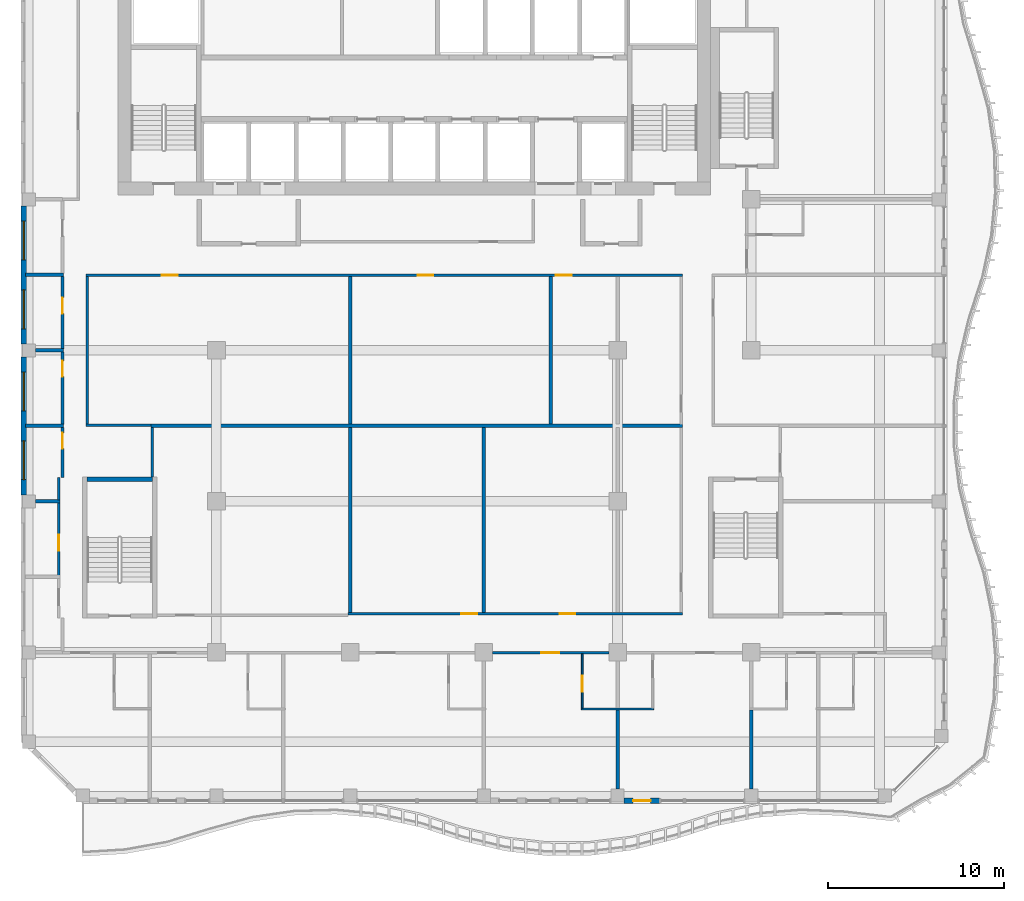
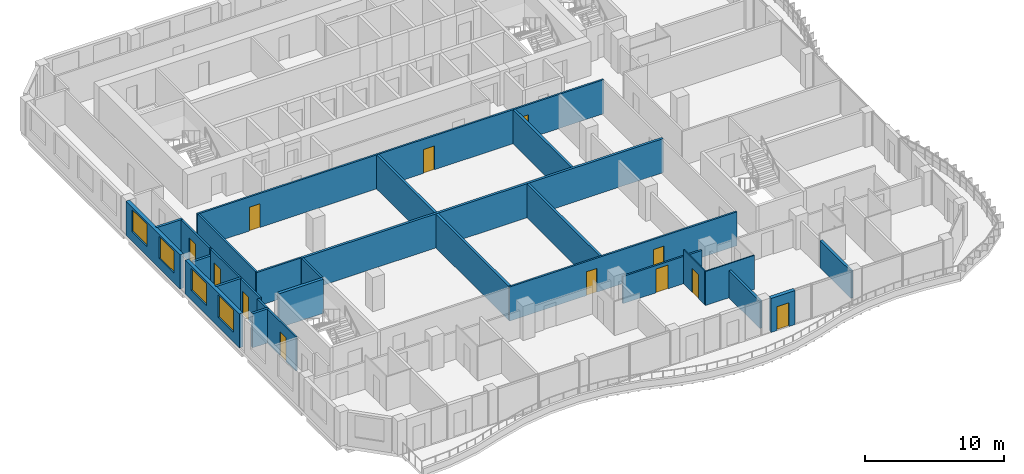
# One storey, part 11 of 22: 28 walls, 12 doors, 4 windows, 16 openings.
"""IFC4 building model written with IfcOpenShell, lengths in metres."""

import ifcopenshell
import ifcopenshell.guid

model = None  # the IFC model being written
_history = None  # IfcOwnerHistory: only IFC2X3 demands one
_inside = {}  # id of a spatial element -> (the spatial element, [elements in it])
_under = {}  # id of a project, library or spatial element -> (it, [spatial elements below it])
_declared = {}  # id of a project -> (the project, [libraries it declares])
_typed = {}  # id of a type object -> (the type object, [elements of that type])
_made_of = {}  # id of a material, layer set ... -> (it, [elements and type objects made of it])


def new_model(schema):
    """Start an empty IFC model of exactly this schema.

    Asked for "IFC4X3", IfcOpenShell would pick the latest addendum, in which some entities
    have other attributes; the version numbers below select the first issue.
    IFC2X3 requires an IfcOwnerHistory on every rooted entity: one is made here for all.
    """
    global model, _history
    if schema == "IFC4X3":
        model = ifcopenshell.file(schema_version=(4, 3, 0, 0))
    else:
        model = ifcopenshell.file(schema=schema)
    _inside.clear()
    _under.clear()
    _declared.clear()
    _typed.clear()
    _made_of.clear()
    _history = None
    if model.schema == "IFC2X3":
        org = make("IfcOrganization", Name="unknown")
        user = make(
            "IfcPersonAndOrganization",
            ThePerson=make("IfcPerson", FamilyName="unknown"),
            TheOrganization=org,
        )
        app = make(
            "IfcApplication",
            ApplicationDeveloper=org,
            Version="unknown",
            ApplicationFullName="unknown",
            ApplicationIdentifier="unknown",
        )
        _history = make(
            "IfcOwnerHistory",
            OwningUser=user,
            OwningApplication=app,
            ChangeAction="ADDED",
            CreationDate=0,
        )
    return model


def make(cls, **values):
    """One entity of the class cls with the attributes given. An attribute that is None is left unset."""
    return model.create_entity(
        cls, **{name: value for name, value in values.items() if value is not None}
    )


def rooted(cls, **values):
    """An entity with a GlobalId (a new one), such as an element, a storey or a relation."""
    return make(cls, GlobalId=ifcopenshell.guid.new(), OwnerHistory=_history, **values)


def si_unit(unit_type, name, prefix=None):
    """IfcSIUnit, for example si_unit("LENGTHUNIT", "METRE", prefix="MILLI")."""
    return make("IfcSIUnit", UnitType=unit_type, Prefix=prefix, Name=name)


def assignment(units):
    """IfcUnitAssignment: the units of a project."""
    return None if units is None else make("IfcUnitAssignment", Units=units)


def point(xyz):
    """IfcCartesianPoint."""
    return None if xyz is None else make("IfcCartesianPoint", Coordinates=xyz)


def direction(xyz):
    """IfcDirection."""
    return None if xyz is None else make("IfcDirection", DirectionRatios=xyz)


def frame(location, z_axis=None, x_axis=None):
    """IfcAxis2Placement3D, a coordinate frame: its origin and axes. An axis left out is left unset."""
    return make(
        "IfcAxis2Placement3D",
        Location=point(location),
        Axis=direction(z_axis),
        RefDirection=direction(x_axis),
    )


def frame_2d(location, x_axis=None):
    """IfcAxis2Placement2D, a coordinate frame in the plane: its origin and x axis."""
    return make(
        "IfcAxis2Placement2D", Location=point(location), RefDirection=direction(x_axis)
    )


def origin():
    """The frame at (0, 0, 0) with its axes left unset."""
    return frame((0.0, 0.0, 0.0))


def place(relative_to, where):
    """IfcLocalPlacement: puts the frame where relative to a parent placement (None: the world)."""
    return make(
        "IfcLocalPlacement", PlacementRelTo=relative_to, RelativePlacement=where
    )


def context(
    kind, dimensions, precision=None, world=None, true_north=None, identifier=None
):
    """IfcGeometricRepresentationContext, for example the 3D "Model" context."""
    return make(
        "IfcGeometricRepresentationContext",
        ContextIdentifier=identifier,
        ContextType=kind,
        CoordinateSpaceDimension=dimensions,
        Precision=precision,
        WorldCoordinateSystem=world,
        TrueNorth=true_north,
    )


def subcontext(parent, identifier, kind, view, scale=None):
    """IfcGeometricRepresentationSubContext, for example "Body" below "Model"."""
    return make(
        "IfcGeometricRepresentationSubContext",
        ContextIdentifier=identifier,
        ContextType=kind,
        ParentContext=parent,
        TargetScale=scale,
        TargetView=view,
    )


def project(units=None, contexts=None):
    """IfcProject with its units and contexts."""
    return rooted(
        "IfcProject",
        Name="project",
        RepresentationContexts=contexts,
        UnitsInContext=assignment(units),
    )


def spatial(cls, under=None, at=None, **own):
    """A site, building, storey or space (cls), placed at a placement, below another one or the project."""
    s = rooted(cls, ObjectPlacement=at, **own)
    if under is not None:
        _under.setdefault(under.id(), (under, []))[1].append(s)
    return s


def profile(cls, at=None, kind="AREA", **sizes):
    """A parametric profile (cls). Its sizes go by their IFC names, for example OverallWidth=200.0."""
    return make(cls, ProfileType=kind, Position=at, **sizes)


def rectangle(**sizes):
    """IfcRectangleProfileDef."""
    return profile("IfcRectangleProfileDef", **sizes)


def extrude(swept, where, along, depth):
    """IfcExtrudedAreaSolid: the profile swept, set in the frame where, extruded along a direction by depth."""
    return make(
        "IfcExtrudedAreaSolid",
        SweptArea=swept,
        Position=where,
        ExtrudedDirection=direction(along),
        Depth=depth,
    )


def shape(context_of_items, identifier, shape_type, items):
    """IfcShapeRepresentation: the items that make up one representation, for example the "Body"."""
    return make(
        "IfcShapeRepresentation",
        ContextOfItems=context_of_items,
        RepresentationIdentifier=identifier,
        RepresentationType=shape_type,
        Items=items,
    )


def source(mapping_origin, context_of_items, identifier, shape_type, items):
    """IfcRepresentationMap: a shape defined once, which mapped items show again and again."""
    return make(
        "IfcRepresentationMap",
        MappingOrigin=mapping_origin,
        MappedRepresentation=shape(context_of_items, identifier, shape_type, items),
    )


def transform(
    local_origin,
    x_axis=None,
    y_axis=None,
    z_axis=None,
    scale=None,
    scale2=None,
    scale3=None,
    uniform=True,
):
    """IfcCartesianTransformationOperator3D, or its non-uniform kind. x_axis, y_axis, z_axis: its Axis1, 2, 3."""
    if uniform:
        return make(
            "IfcCartesianTransformationOperator3D",
            Axis1=direction(x_axis),
            Axis2=direction(y_axis),
            LocalOrigin=point(local_origin),
            Scale=scale,
            Axis3=direction(z_axis),
        )
    return make(
        "IfcCartesianTransformationOperator3DnonUniform",
        Axis1=direction(x_axis),
        Axis2=direction(y_axis),
        LocalOrigin=point(local_origin),
        Scale=scale,
        Axis3=direction(z_axis),
        Scale2=scale2,
        Scale3=scale3,
    )


def mapped(mapping_source, mapping_target):
    """IfcMappedItem: shows the shape of a source again, moved by a transform."""
    return make(
        "IfcMappedItem", MappingSource=mapping_source, MappingTarget=mapping_target
    )


def material(Name=None, Category=None):
    """IfcMaterial."""
    return make("IfcMaterial", Name=Name, Category=Category)


def layer(
    of_material, thickness, ventilated=None, Name=None, Category=None, Priority=None
):
    """IfcMaterialLayer: one layer of a wall or slab, of a material (None: an air gap)."""
    return make(
        "IfcMaterialLayer",
        Material=of_material,
        LayerThickness=thickness,
        IsVentilated=ventilated,
        Name=Name,
        Category=Category,
        Priority=Priority,
    )


def layer_set(layers, Name=None):
    """IfcMaterialLayerSet."""
    return make("IfcMaterialLayerSet", MaterialLayers=layers, LayerSetName=Name)


def made_of(thing, what):
    """Note that an element or type object is made of a material, layer set ...; save() writes the relation."""
    if what is not None:
        _made_of.setdefault(what.id(), (what, []))[1].append(thing)
    return thing


def type_object(cls, material=None, **own):
    """A type object (cls), such as IfcWallType, which elements share."""
    return made_of(rooted(cls, **own), material)


def element(
    cls,
    number,
    at=None,
    inside=None,
    cuts=None,
    type_object=None,
    material=None,
    context=None,
    identifier="Body",
    shape_type=None,
    held_by="IfcProductDefinitionShape",
    body=None,
    shapes=None,
    **own,
):
    """One element of the class cls, such as IfcWall. Its Tag is "e" and its number.

    at: its placement. inside: the storey or other place that contains it. cuts: it is an
    opening in that element (IfcRelVoidsElement). A single representation is given by context,
    identifier, shape_type and body (its items); several are given by shapes. held_by: the class
    of the entity that holds the representations. save() writes the other relations.
    """
    e = rooted(cls, Tag="e%d" % number, ObjectPlacement=at, **own)
    if body is not None:
        shapes = [shape(context, identifier, shape_type, body)]
    if shapes is not None:
        e.Representation = make(held_by, Representations=shapes)
    if inside is not None:
        _inside.setdefault(inside.id(), (inside, []))[1].append(e)
    if cuts is not None:
        rooted(
            "IfcRelVoidsElement", RelatingBuildingElement=cuts, RelatedOpeningElement=e
        )
    if type_object is not None:
        _typed.setdefault(type_object.id(), (type_object, []))[1].append(e)
    return made_of(e, material)


def fill(opening, filler):
    """IfcRelFillsElement: the door or window that sits in an opening."""
    return rooted(
        "IfcRelFillsElement",
        RelatingOpeningElement=opening,
        RelatedBuildingElement=filler,
    )


def aggregate(whole, parts):
    """IfcRelAggregates: a whole, such as a stair, and the parts it consists of."""
    return rooted("IfcRelAggregates", RelatingObject=whole, RelatedObjects=parts)


def save(model, path):
    """Write the relations noted so far, then the file.

    IfcRelAggregates (storeys below a building ...), IfcRelContainedInSpatialStructure (elements
    in a storey), IfcRelDefinesByType, IfcRelAssociatesMaterial and IfcRelDeclares: one each for
    every whole, place, type object, material and project.
    """
    for whole, parts in _under.values():
        aggregate(whole, parts)
    for where, things in _inside.values():
        rooted(
            "IfcRelContainedInSpatialStructure",
            RelatedElements=things,
            RelatingStructure=where,
        )
    for kind, things in _typed.values():
        rooted("IfcRelDefinesByType", RelatedObjects=things, RelatingType=kind)
    for what, things in _made_of.values():
        rooted("IfcRelAssociatesMaterial", RelatedObjects=things, RelatingMaterial=what)
    for by, libraries in _declared.values():
        rooted("IfcRelDeclares", RelatingContext=by, RelatedDefinitions=libraries)
    model.write(path)


model = new_model("IFC4")

# Units and contexts
model_context = context("Model", 3, precision=1e-05, world=origin(), true_north=direction((0.0, 1.0)))
body_context = subcontext(model_context, "Body", "Model", "MODEL_VIEW")
ifc_project = project(units=[si_unit("LENGTHUNIT", "METRE"), si_unit("AREAUNIT", "SQUARE_METRE"), si_unit("VOLUMEUNIT", "CUBIC_METRE"), si_unit("PLANEANGLEUNIT", "RADIAN"), si_unit("MASSUNIT", "GRAM", prefix="KILO")], contexts=[model_context])

# Site, building, storey
site_placement = place(None, origin())
site = spatial("IfcSite", under=ifc_project, at=site_placement, CompositionType="ELEMENT")
building_placement = place(site_placement, origin())
building = spatial("IfcBuilding", under=site, at=building_placement, Name="Kilnfold Tower and Market Hall", CompositionType="ELEMENT")
storey_placement = place(building_placement, frame((0.0, 0.0, 220.300048828125)))
storey = spatial("IfcBuildingStorey", under=building, at=storey_placement, Name="L54", CompositionType="ELEMENT", Elevation=220.300048828125)

# Wall, opening, door
ifc_material_1 = material(Name="Gypsum board on steel studs", Category="steel")
ifc_layer_1 = layer(ifc_material_1, 0.14990234375)
ifc_layer_set_1 = layer_set([ifc_layer_1], Name="Gypsum board on steel studs")
wall_type_1 = type_object("IfcWallType", Name="WALL CORRIDOR 150", PredefinedType="PARTITIONING", material=ifc_layer_set_1)
wall_1_placement = place(storey_placement, frame((5.5, -17.699951171875, 0.0), z_axis=(0.0, 0.0, 1.0), x_axis=(1.0, 0.0, 0.0)))
wall_1 = element("IfcWall", 1, at=wall_1_placement, inside=storey, type_object=wall_type_1, Name="Partition LY32.4", PredefinedType="PARTITIONING", context=body_context, shape_type="SweptSolid", body=[
    extrude(rectangle(XDim=6.5830078125, YDim=0.14990234375, at=frame_2d((3.29150390625, 0.0))), origin(), (0.0, 0.0, 1.0), 2.39990234375),
])
opening_1_placement = place(wall_1_placement, frame((2.764892578125, 0.0, 0.0)))
opening_1 = element("IfcOpeningElement", 2, at=opening_1_placement, cuts=wall_1, Name="Opening D1", PredefinedType="OPENING", context=body_context, shape_type="SweptSolid", body=[
    extrude(rectangle(XDim=1.0, YDim=2.10009765625, at=frame_2d((0.5, 1.050048828125))), frame((0.0, 0.0849609375, 0.0), z_axis=(0.0, -1.0, 0.0), x_axis=(1.0, 0.0, 0.0)), (0.0, 0.0, 1.0), 0.169921875),
])
ifc_material_2 = material(Name="Timber veneer door leaf in steel frame", Category="steel")
door_type_1 = type_object("IfcDoorType", Name="DOOR ENTRY 1000 X2100", OperationType="NOTDEFINED", PredefinedType="DOOR", material=ifc_material_2)
door_1_placement = place(opening_1_placement, origin())
door_1 = element("IfcDoor", 3, at=door_1_placement, inside=storey, type_object=door_type_1, Name="Door D1", OperationType="SINGLE_SWING_RIGHT", OverallHeight=2.10009765625, OverallWidth=1.0, PredefinedType="DOOR", context=body_context, shape_type="SweptSolid", body=[
    extrude(rectangle(XDim=1.0, YDim=2.10009765625, at=frame_2d((0.5, 1.050048828125))), frame((0.0, 0.02490234375, 0.0), z_axis=(0.0, -1.0, 0.0), x_axis=(1.0, 0.0, 0.0)), (0.0, 0.0, 1.0), 0.050048828125),
])
fill(opening_1, door_1)

wall_2_placement = place(storey_placement, frame((-19.113037109375, -13.31591796875, 0.0), z_axis=(0.0, 0.0, 1.0), x_axis=(0.0, 1.0, 0.0)))
wall_2 = element("IfcWall", 4, at=wall_2_placement, inside=storey, type_object=wall_type_1, Name="Partition LY32.11", PredefinedType="PARTITIONING", context=body_context, shape_type="SweptSolid", body=[
    extrude(rectangle(XDim=4.100830078125, YDim=0.14990234375, at=frame_2d((2.05029296875, 0.0))), origin(), (0.0, 0.0, 1.0), 3.0),
])
opening_2_placement = place(wall_2_placement, frame((1.39990234375, 0.0, 0.0)))
opening_2 = element("IfcOpeningElement", 5, at=opening_2_placement, cuts=wall_2, Name="Opening D2", PredefinedType="OPENING", context=body_context, shape_type="SweptSolid", body=[
    extrude(rectangle(XDim=0.89990234375, YDim=2.10009765625, at=frame_2d((0.449951171875, 1.050048828125))), frame((0.0, 0.0849609375, 0.0), z_axis=(0.0, -1.0, 0.0), x_axis=(1.0, 0.0, 0.0)), (0.0, 0.0, 1.0), 0.169921875),
])
ifc_material_3 = material(Name="Timber veneer door leaf in steel frame", Category="steel")
door_type_2 = type_object("IfcDoorType", Name="DOOR ROOM 900 X2100", OperationType="NOTDEFINED", PredefinedType="DOOR", material=ifc_material_3)
door_2_placement = place(opening_2_placement, origin())
door_2 = element("IfcDoor", 6, at=door_2_placement, inside=storey, type_object=door_type_2, Name="Door D2", OperationType="SINGLE_SWING_LEFT", OverallHeight=2.10009765625, OverallWidth=0.89990234375, PredefinedType="DOOR", context=body_context, shape_type="SweptSolid", body=[
    extrude(rectangle(XDim=0.89990234375, YDim=2.10009765625, at=frame_2d((0.449951171875, 1.050048828125))), frame((0.0, 0.02490234375, 0.0), z_axis=(0.0, -1.0, 0.0), x_axis=(1.0, 0.0, 0.0)), (0.0, 0.0, 1.0), 0.050048828125),
])
fill(opening_2, door_2)

wall_3_placement = place(storey_placement, frame((-18.89990234375, -7.757080078125, 0.0), z_axis=(0.0, 0.0, 1.0), x_axis=(0.0, 1.0, 0.0)))
wall_3 = element("IfcWall", 7, at=wall_3_placement, inside=storey, type_object=wall_type_1, Name="Partition LY32.12", PredefinedType="PARTITIONING", context=body_context, shape_type="SweptSolid", body=[
    extrude(rectangle(XDim=2.823974609375, YDim=0.14990234375, at=frame_2d((1.412109375, 0.0))), origin(), (0.0, 0.0, 1.0), 3.0),
])
opening_3_placement = place(wall_3_placement, frame((1.6220703125, 0.0, 0.0)))
opening_3 = element("IfcOpeningElement", 8, at=opening_3_placement, cuts=wall_3, Name="Opening D2", PredefinedType="OPENING", context=body_context, shape_type="SweptSolid", body=[
    extrude(rectangle(XDim=0.89990234375, YDim=2.10009765625, at=frame_2d((0.449951171875, 1.050048828125))), frame((0.0, 0.0849609375, 0.0), z_axis=(0.0, -1.0, 0.0), x_axis=(1.0, 0.0, 0.0)), (0.0, 0.0, 1.0), 0.169921875),
])
door_3_placement = place(opening_3_placement, origin())
door_3 = element("IfcDoor", 9, at=door_3_placement, inside=storey, type_object=door_type_2, Name="Door D2", OperationType="SINGLE_SWING_RIGHT", OverallHeight=2.10009765625, OverallWidth=0.89990234375, PredefinedType="DOOR", context=body_context, shape_type="SweptSolid", body=[
    extrude(rectangle(XDim=0.89990234375, YDim=2.10009765625, at=frame_2d((0.449951171875, 1.050048828125))), frame((0.0, 0.02490234375, 0.0), z_axis=(0.0, -1.0, 0.0), x_axis=(1.0, 0.0, 0.0)), (0.0, 0.0, 1.0), 0.050048828125),
])
fill(opening_3, door_3)

# Wall
wall_4_placement = place(storey_placement, frame((-19.113037109375, -9.034912109375, 0.0), z_axis=(0.0, 0.0, 1.0), x_axis=(0.0, 1.0, 0.0)))
element("IfcWall", 10, at=wall_4_placement, inside=storey, type_object=wall_type_1, Name="Partition LY32.13", PredefinedType="PARTITIONING", context=body_context, shape_type="SweptSolid", body=[
    extrude(rectangle(XDim=1.27783203125, YDim=0.14990234375, at=frame_2d((0.638916015625, 0.0))), origin(), (0.0, 0.0, 1.0), 3.0),
])

# Wall, opening, door
wall_5_placement = place(storey_placement, frame((-18.89990234375, -4.7529296875, 0.0), z_axis=(0.0, 0.0, 1.0), x_axis=(0.0, 1.0, 0.0)))
wall_5 = element("IfcWall", 11, at=wall_5_placement, inside=storey, type_object=wall_type_1, Name="Partition LY32.14", PredefinedType="PARTITIONING", context=body_context, shape_type="SweptSolid", body=[
    extrude(rectangle(XDim=4.100830078125, YDim=0.14990234375, at=frame_2d((2.05029296875, 0.0))), origin(), (0.0, 0.0, 1.0), 3.0),
])
opening_4_placement = place(wall_5_placement, frame((2.700927734375, 0.0, 0.0)))
opening_4 = element("IfcOpeningElement", 12, at=opening_4_placement, cuts=wall_5, Name="Opening D2", PredefinedType="OPENING", context=body_context, shape_type="SweptSolid", body=[
    extrude(rectangle(XDim=0.89990234375, YDim=2.10009765625, at=frame_2d((0.449951171875, 1.050048828125))), frame((0.0, 0.0849609375, 0.0), z_axis=(0.0, -1.0, 0.0), x_axis=(1.0, 0.0, 0.0)), (0.0, 0.0, 1.0), 0.169921875),
])
door_4_placement = place(opening_4_placement, origin())
door_4 = element("IfcDoor", 13, at=door_4_placement, inside=storey, type_object=door_type_2, Name="Door D2", OperationType="SINGLE_SWING_RIGHT", OverallHeight=2.10009765625, OverallWidth=0.89990234375, PredefinedType="DOOR", context=body_context, shape_type="SweptSolid", body=[
    extrude(rectangle(XDim=0.89990234375, YDim=2.10009765625, at=frame_2d((0.449951171875, 1.050048828125))), frame((0.0, 0.02490234375, 0.0), z_axis=(0.0, -1.0, 0.0), x_axis=(1.0, 0.0, 0.0)), (0.0, 0.0, 1.0), 0.050048828125),
])
fill(opening_4, door_4)

wall_6_placement = place(storey_placement, frame((-18.89990234375, -0.471923828125, 0.0), z_axis=(0.0, 0.0, 1.0), x_axis=(0.0, 1.0, 0.0)))
wall_6 = element("IfcWall", 14, at=wall_6_placement, inside=storey, type_object=wall_type_1, Name="Partition LY32.15", PredefinedType="PARTITIONING", context=body_context, shape_type="SweptSolid", body=[
    extrude(rectangle(XDim=4.100830078125, YDim=0.14990234375, at=frame_2d((2.05029296875, 0.0))), origin(), (0.0, 0.0, 1.0), 3.0),
])
opening_5_placement = place(wall_6_placement, frame((2.0009765625, 0.0, 0.0)))
opening_5 = element("IfcOpeningElement", 15, at=opening_5_placement, cuts=wall_6, Name="Opening D2", PredefinedType="OPENING", context=body_context, shape_type="SweptSolid", body=[
    extrude(rectangle(XDim=0.89990234375, YDim=2.10009765625, at=frame_2d((0.449951171875, 1.050048828125))), frame((0.0, 0.0849609375, 0.0), z_axis=(0.0, -1.0, 0.0), x_axis=(1.0, 0.0, 0.0)), (0.0, 0.0, 1.0), 0.169921875),
])
door_5_placement = place(opening_5_placement, origin())
door_5 = element("IfcDoor", 16, at=door_5_placement, inside=storey, type_object=door_type_2, Name="Door D2", OperationType="SINGLE_SWING_LEFT", OverallHeight=2.10009765625, OverallWidth=0.89990234375, PredefinedType="DOOR", context=body_context, shape_type="SweptSolid", body=[
    extrude(rectangle(XDim=0.89990234375, YDim=2.10009765625, at=frame_2d((0.449951171875, 1.050048828125))), frame((0.0, 0.02490234375, 0.0), z_axis=(0.0, -1.0, 0.0), x_axis=(1.0, 0.0, 0.0)), (0.0, 0.0, 1.0), 0.050048828125),
])
fill(opening_5, door_5)

# Wall
wall_7_placement = place(storey_placement, frame((-17.574951171875, -4.800048828125, 0.0), z_axis=(0.0, 0.0, 1.0), x_axis=(1.0, 0.0, 0.0)))
element("IfcWall", 17, at=wall_7_placement, inside=storey, type_object=wall_type_1, Name="Partition LY32.34", PredefinedType="PARTITIONING", context=body_context, shape_type="SweptSolid", body=[
    extrude(rectangle(XDim=3.701904296875, YDim=0.14990234375, at=frame_2d((1.85107421875, 0.0))), origin(), (0.0, 0.0, 1.0), 3.0),
])

# Wall, openings, doors
wall_8_placement = place(storey_placement, frame((-17.574951171875, 3.699951171875, 0.0), z_axis=(0.0, 0.0, 1.0), x_axis=(1.0, 0.0, 0.0)))
wall_8 = element("IfcWall", 18, at=wall_8_placement, inside=storey, type_object=wall_type_1, Name="Partition LY32.35", PredefinedType="PARTITIONING", context=body_context, shape_type="SweptSolid", body=[
    extrude(rectangle(XDim=33.849853515625, YDim=0.14990234375, at=frame_2d((16.9248046875, 0.0))), origin(), (0.0, 0.0, 1.0), 3.0),
])
opening_6_placement = place(wall_8_placement, frame((4.301025390625, 0.0, 0.0)))
opening_6 = element("IfcOpeningElement", 19, at=opening_6_placement, cuts=wall_8, Name="Opening D2", PredefinedType="OPENING", context=body_context, shape_type="SweptSolid", body=[
    extrude(rectangle(XDim=0.89990234375, YDim=2.10009765625, at=frame_2d((0.449951171875, 1.050048828125))), frame((0.0, 0.0849609375, 0.0), z_axis=(0.0, -1.0, 0.0), x_axis=(1.0, 0.0, 0.0)), (0.0, 0.0, 1.0), 0.169921875),
])
opening_7_placement = place(wall_8_placement, frame((18.81591796875, 0.0, 0.0)))
opening_7 = element("IfcOpeningElement", 20, at=opening_7_placement, cuts=wall_8, Name="Opening D2", PredefinedType="OPENING", context=body_context, shape_type="SweptSolid", body=[
    extrude(rectangle(XDim=0.89990234375, YDim=2.10009765625, at=frame_2d((0.449951171875, 1.050048828125))), frame((0.0, 0.0849609375, 0.0), z_axis=(0.0, -1.0, 0.0), x_axis=(1.0, 0.0, 0.0)), (0.0, 0.0, 1.0), 0.169921875),
])
opening_8_placement = place(wall_8_placement, frame((26.656005859375, 0.0, 0.0)))
opening_8 = element("IfcOpeningElement", 21, at=opening_8_placement, cuts=wall_8, Name="Opening D2", PredefinedType="OPENING", context=body_context, shape_type="SweptSolid", body=[
    extrude(rectangle(XDim=0.89990234375, YDim=2.10009765625, at=frame_2d((0.449951171875, 1.050048828125))), frame((0.0, 0.0849609375, 0.0), z_axis=(0.0, -1.0, 0.0), x_axis=(1.0, 0.0, 0.0)), (0.0, 0.0, 1.0), 0.169921875),
])
door_6_placement = place(opening_6_placement, origin())
door_6 = element("IfcDoor", 22, at=door_6_placement, inside=storey, type_object=door_type_2, Name="Door D2", OperationType="SINGLE_SWING_RIGHT", OverallHeight=2.10009765625, OverallWidth=0.89990234375, PredefinedType="DOOR", context=body_context, shape_type="SweptSolid", body=[
    extrude(rectangle(XDim=0.89990234375, YDim=2.10009765625, at=frame_2d((0.449951171875, 1.050048828125))), frame((0.0, 0.02490234375, 0.0), z_axis=(0.0, -1.0, 0.0), x_axis=(1.0, 0.0, 0.0)), (0.0, 0.0, 1.0), 0.050048828125),
])
fill(opening_6, door_6)
door_7_placement = place(opening_7_placement, origin())
door_7 = element("IfcDoor", 23, at=door_7_placement, inside=storey, type_object=door_type_2, Name="Door D2", OperationType="SINGLE_SWING_LEFT", OverallHeight=2.10009765625, OverallWidth=0.89990234375, PredefinedType="DOOR", context=body_context, shape_type="SweptSolid", body=[
    extrude(rectangle(XDim=0.89990234375, YDim=2.10009765625, at=frame_2d((0.449951171875, 1.050048828125))), frame((0.0, 0.02490234375, 0.0), z_axis=(0.0, -1.0, 0.0), x_axis=(1.0, 0.0, 0.0)), (0.0, 0.0, 1.0), 0.050048828125),
])
fill(opening_7, door_7)
door_8_placement = place(opening_8_placement, origin())
door_8 = element("IfcDoor", 24, at=door_8_placement, inside=storey, type_object=door_type_2, Name="Door D2", OperationType="SINGLE_SWING_RIGHT", OverallHeight=2.10009765625, OverallWidth=0.89990234375, PredefinedType="DOOR", context=body_context, shape_type="SweptSolid", body=[
    extrude(rectangle(XDim=0.89990234375, YDim=2.10009765625, at=frame_2d((0.449951171875, 1.050048828125))), frame((0.0, 0.02490234375, 0.0), z_axis=(0.0, -1.0, 0.0), x_axis=(1.0, 0.0, 0.0)), (0.0, 0.0, 1.0), 0.050048828125),
])
fill(opening_8, door_8)

# Walls
wall_9_placement = place(storey_placement, frame((-17.5, -4.72509765625, 0.0), z_axis=(0.0, 0.0, 1.0), x_axis=(0.0, 1.0, 0.0)))
element("IfcWall", 25, at=wall_9_placement, inside=storey, type_object=wall_type_1, Name="Partition LY32.36", PredefinedType="PARTITIONING", context=body_context, shape_type="SweptSolid", body=[
    extrude(rectangle(XDim=8.35009765625, YDim=0.14990234375, at=frame_2d((4.175048828125, 0.0))), origin(), (0.0, 0.0, 1.0), 3.0),
])
wall_10_placement = place(storey_placement, frame((-13.800048828125, -7.75, 0.0), z_axis=(0.0, 0.0, 1.0), x_axis=(0.0, 1.0, 0.0)))
element("IfcWall", 26, at=wall_10_placement, inside=storey, type_object=wall_type_1, Name="Partition LY32.38", PredefinedType="PARTITIONING", context=body_context, shape_type="SweptSolid", body=[
    extrude(rectangle(XDim=2.81689453125, YDim=0.14990234375, at=frame_2d((1.408447265625, 0.0))), origin(), (0.0, 0.0, 1.0), 3.0),
])

# Wall, openings, doors
wall_11_placement = place(storey_placement, frame((-2.693115234375, -15.5, 0.0), z_axis=(0.0, 0.0, 1.0), x_axis=(1.0, 0.0, 0.0)))
wall_11 = element("IfcWall", 27, at=wall_11_placement, inside=storey, type_object=wall_type_1, Name="Partition LY32.40", PredefinedType="PARTITIONING", context=body_context, shape_type="SweptSolid", body=[
    extrude(rectangle(XDim=18.968017578125, YDim=0.14990234375, at=frame_2d((9.48388671875, 0.0))), origin(), (0.0, 0.0, 1.0), 3.0),
])
opening_9_placement = place(wall_11_placement, frame((6.403076171875, 0.0, 0.0)))
opening_9 = element("IfcOpeningElement", 28, at=opening_9_placement, cuts=wall_11, Name="Opening D2", PredefinedType="OPENING", context=body_context, shape_type="SweptSolid", body=[
    extrude(rectangle(XDim=0.89990234375, YDim=2.10009765625, at=frame_2d((0.449951171875, 1.050048828125))), frame((0.0, 0.0849609375, 0.0), z_axis=(0.0, -1.0, 0.0), x_axis=(1.0, 0.0, 0.0)), (0.0, 0.0, 1.0), 0.169921875),
])
opening_10_placement = place(wall_11_placement, frame((11.985107421875, 0.0, 0.0)))
opening_10 = element("IfcOpeningElement", 29, at=opening_10_placement, cuts=wall_11, Name="Opening D2", PredefinedType="OPENING", context=body_context, shape_type="SweptSolid", body=[
    extrude(rectangle(XDim=0.89990234375, YDim=2.10009765625, at=frame_2d((0.449951171875, 1.050048828125))), frame((0.0, 0.0849609375, 0.0), z_axis=(0.0, -1.0, 0.0), x_axis=(1.0, 0.0, 0.0)), (0.0, 0.0, 1.0), 0.169921875),
])
door_9_placement = place(opening_9_placement, origin())
door_9 = element("IfcDoor", 30, at=door_9_placement, inside=storey, type_object=door_type_2, Name="Door D2", OperationType="SINGLE_SWING_LEFT", OverallHeight=2.10009765625, OverallWidth=0.89990234375, PredefinedType="DOOR", context=body_context, shape_type="SweptSolid", body=[
    extrude(rectangle(XDim=0.89990234375, YDim=2.10009765625, at=frame_2d((0.449951171875, 1.050048828125))), frame((0.0, 0.02490234375, 0.0), z_axis=(0.0, -1.0, 0.0), x_axis=(1.0, 0.0, 0.0)), (0.0, 0.0, 1.0), 0.050048828125),
])
fill(opening_9, door_9)
door_10_placement = place(opening_10_placement, origin())
door_10 = element("IfcDoor", 31, at=door_10_placement, inside=storey, type_object=door_type_2, Name="Door D2", OperationType="SINGLE_SWING_LEFT", OverallHeight=2.10009765625, OverallWidth=0.89990234375, PredefinedType="DOOR", context=body_context, shape_type="SweptSolid", body=[
    extrude(rectangle(XDim=0.89990234375, YDim=2.10009765625, at=frame_2d((0.449951171875, 1.050048828125))), frame((0.0, 0.02490234375, 0.0), z_axis=(0.0, -1.0, 0.0), x_axis=(1.0, 0.0, 0.0)), (0.0, 0.0, 1.0), 0.050048828125),
])
fill(opening_10, door_10)

# Wall, opening, door
ifc_material_4 = material(Name="Gypsum board on steel studs", Category="steel")
ifc_layer_2 = layer(ifc_material_4, 0.10009765625)
ifc_layer_set_2 = layer_set([ifc_layer_2], Name="Gypsum board on steel studs")
wall_type_2 = type_object("IfcWallType", Name="WALL PARTITION 100", PredefinedType="PARTITIONING", material=ifc_layer_set_2)
wall_12_placement = place(storey_placement, frame((10.5830078125, -20.85205078125, 0.0), z_axis=(0.0, 0.0, 1.0), x_axis=(0.0, 1.0, 0.0)))
wall_12 = element("IfcWall", 32, at=wall_12_placement, inside=storey, type_object=wall_type_2, Name="Partition LY32.55", PredefinedType="PARTITIONING", context=body_context, shape_type="SweptSolid", body=[
    extrude(rectangle(XDim=3.074951171875, YDim=0.10009765625, at=frame_2d((1.53759765625, 0.0))), origin(), (0.0, 0.0, 1.0), 3.0),
])
opening_11_placement = place(wall_12_placement, frame((0.930908203125, 0.0, 0.0)))
opening_11 = element("IfcOpeningElement", 33, at=opening_11_placement, cuts=wall_12, Name="Opening D3", PredefinedType="OPENING", context=body_context, shape_type="SweptSolid", body=[
    extrude(rectangle(XDim=0.89990234375, YDim=2.10009765625, at=frame_2d((0.449951171875, 1.050048828125))), frame((0.0, 0.06005859375, 0.0), z_axis=(0.0, -1.0, 0.0), x_axis=(1.0, 0.0, 0.0)), (0.0, 0.0, 1.0), 0.1201171875),
])
ifc_material_5 = material(Name="Timber veneer door leaf in steel frame", Category="steel")
door_type_3 = type_object("IfcDoorType", Name="DOOR WC 900 X2100", OperationType="NOTDEFINED", PredefinedType="DOOR", material=ifc_material_5)
door_11_placement = place(opening_11_placement, origin())
door_11 = element("IfcDoor", 34, at=door_11_placement, inside=storey, type_object=door_type_3, Name="Door D3", OperationType="SINGLE_SWING_RIGHT", OverallHeight=2.10009765625, OverallWidth=0.89990234375, PredefinedType="DOOR", context=body_context, shape_type="SweptSolid", body=[
    extrude(rectangle(XDim=0.89990234375, YDim=2.10009765625, at=frame_2d((0.449951171875, 1.050048828125))), frame((0.0, 0.02490234375, 0.0), z_axis=(0.0, -1.0, 0.0), x_axis=(1.0, 0.0, 0.0)), (0.0, 0.0, 1.0), 0.050048828125),
])
fill(opening_11, door_11)

# Walls
wall_13_placement = place(storey_placement, frame((10.532958984375, -20.902099609375, 0.0), z_axis=(0.0, 0.0, 1.0), x_axis=(1.0, 0.0, 0.0)))
element("IfcWall", 35, at=wall_13_placement, inside=storey, type_object=wall_type_2, Name="Partition LY32.56", PredefinedType="PARTITIONING", context=body_context, shape_type="SweptSolid", body=[
    extrude(rectangle(XDim=4.10009765625, YDim=0.10009765625, at=frame_2d((2.050048828125, 0.0))), origin(), (0.0, 0.0, 1.0), 3.0),
])
ifc_material_6 = material(Name="Gypsum board on steel studs", Category="steel")
ifc_layer_3 = layer(ifc_material_6, 0.199951171875)
ifc_layer_set_3 = layer_set([ifc_layer_3], Name="Gypsum board on steel studs")
wall_type_3 = type_object("IfcWallType", Name="WALL PARTY 200", PredefinedType="PARTITIONING", material=ifc_layer_set_3)
wall_14_placement = place(storey_placement, frame((12.5830078125, -25.425048828125, 0.0), z_axis=(0.0, 0.0, 1.0), x_axis=(0.0, 1.0, 0.0)))
element("IfcWall", 36, at=wall_14_placement, inside=storey, type_object=wall_type_3, Name="Partition LY32.57", PredefinedType="PARTITIONING", context=body_context, shape_type="SweptSolid", body=[
    extrude(rectangle(XDim=4.47314453125, YDim=0.199951171875, at=frame_2d((2.236572265625, 0.0))), origin(), (0.0, 0.0, 1.0), 2.39990234375),
])
wall_15_placement = place(storey_placement, frame((20.1669921875, -25.425048828125, 0.0), z_axis=(0.0, 0.0, 1.0), x_axis=(0.0, 1.0, 0.0)))
element("IfcWall", 37, at=wall_15_placement, inside=storey, type_object=wall_type_3, Name="Partition LY32.60", PredefinedType="PARTITIONING", context=body_context, shape_type="SweptSolid", body=[
    extrude(rectangle(XDim=4.483154296875, YDim=0.199951171875, at=frame_2d((2.24169921875, 0.0))), origin(), (0.0, 0.0, 1.0), 2.39990234375),
])
wall_16_placement = place(storey_placement, frame((-20.425048828125, -9.125, 0.0), z_axis=(0.0, 0.0, 1.0), x_axis=(1.0, 0.0, 0.0)))
element("IfcWall", 38, at=wall_16_placement, inside=storey, type_object=wall_type_3, Name="Partition LY32.72", PredefinedType="PARTITIONING", context=body_context, shape_type="SweptSolid", body=[
    extrude(rectangle(XDim=1.39794921875, YDim=0.199951171875, at=frame_2d((0.698974609375, 0.0))), origin(), (0.0, 0.0, 1.0), 3.0),
])
wall_17_placement = place(storey_placement, frame((-21.0, -4.843017578125, 0.0), z_axis=(0.0, 0.0, 1.0), x_axis=(1.0, 0.0, 0.0)))
element("IfcWall", 39, at=wall_17_placement, inside=storey, type_object=wall_type_3, Name="Partition LY32.73", PredefinedType="PARTITIONING", context=body_context, shape_type="SweptSolid", body=[
    extrude(rectangle(XDim=2.173095703125, YDim=0.199951171875, at=frame_2d((1.08642578125, 0.0))), origin(), (0.0, 0.0, 1.0), 3.0),
])
wall_18_placement = place(storey_placement, frame((-18.826904296875, -0.56201171875, 0.0), z_axis=(0.0, 0.0, 1.0), x_axis=(-1.0, 0.0, 0.0)))
element("IfcWall", 40, at=wall_18_placement, inside=storey, type_object=wall_type_3, Name="Partition LY32.74", PredefinedType="PARTITIONING", context=body_context, shape_type="SweptSolid", body=[
    extrude(rectangle(XDim=1.59814453125, YDim=0.199951171875, at=frame_2d((0.799072265625, 0.0))), origin(), (0.0, 0.0, 1.0), 2.39990234375),
])
wall_19_placement = place(storey_placement, frame((-21.0, 3.718994140625, 0.0), z_axis=(0.0, 0.0, 1.0), x_axis=(1.0, 0.0, 0.0)))
element("IfcWall", 41, at=wall_19_placement, inside=storey, type_object=wall_type_3, Name="Partition LY32.75", PredefinedType="PARTITIONING", context=body_context, shape_type="SweptSolid", body=[
    extrude(rectangle(XDim=2.173095703125, YDim=0.199951171875, at=frame_2d((1.08642578125, 0.0))), origin(), (0.0, 0.0, 1.0), 3.0),
])
wall_20_placement = place(storey_placement, frame((-2.5830078125, -4.742919921875, 0.0), z_axis=(0.0, 0.0, 1.0), x_axis=(0.0, 1.0, 0.0)))
element("IfcWall", 42, at=wall_20_placement, inside=storey, type_object=wall_type_3, Name="Partition LY32.87", PredefinedType="PARTITIONING", context=body_context, shape_type="SweptSolid", body=[
    extrude(rectangle(XDim=8.365966796875, YDim=0.199951171875, at=frame_2d((4.18310546875, 0.0))), origin(), (0.0, 0.0, 1.0), 3.0),
])
wall_21_placement = place(storey_placement, frame((-13.873046875, -4.843017578125, 0.0), z_axis=(0.0, 0.0, 1.0), x_axis=(1.0, 0.0, 0.0)))
element("IfcWall", 43, at=wall_21_placement, inside=storey, type_object=wall_type_3, Name="Partition LY32.88", PredefinedType="PARTITIONING", context=body_context, shape_type="SweptSolid", body=[
    extrude(rectangle(XDim=30.14599609375, YDim=0.199951171875, at=frame_2d((15.072998046875, 0.0))), origin(), (0.0, 0.0, 1.0), 3.0),
])
wall_22_placement = place(storey_placement, frame((8.791015625, -4.742919921875, 0.0), z_axis=(0.0, 0.0, 1.0), x_axis=(0.0, 1.0, 0.0)))
element("IfcWall", 44, at=wall_22_placement, inside=storey, type_object=wall_type_3, Name="Partition LY32.89", PredefinedType="PARTITIONING", context=body_context, shape_type="SweptSolid", body=[
    extrude(rectangle(XDim=8.365966796875, YDim=0.199951171875, at=frame_2d((4.18310546875, 0.0))), origin(), (0.0, 0.0, 1.0), 3.0),
])
for number, where, z_axis, x_axis, name in (
    (45, (-2.5830078125, -15.423095703125, 0.0), (0.0, 0.0, 1.0), (0.0, 1.0, 0.0), "Partition LY32.92"),
    (46, (5.0, -15.423095703125, 0.0), (0.0, 0.0, 1.0), (0.0, 1.0, 0.0), "Partition LY32.93"),
):
    element("IfcWall", number, at=place(storey_placement, frame(where, z_axis=z_axis, x_axis=x_axis)), inside=storey, type_object=wall_type_3, Name=name, PredefinedType="PARTITIONING", context=body_context, shape_type="SweptSolid", body=[
        extrude(rectangle(XDim=10.47998046875, YDim=0.199951171875, at=frame_2d((5.239990234375, 0.0))), origin(), (0.0, 0.0, 1.0), 3.0),
    ])
ifc_material_7 = material(Name="Concrete C60", Category="concrete")
ifc_layer_4 = layer(ifc_material_7, 0.25)
ifc_layer_set_4 = layer_set([ifc_layer_4], Name="Concrete C60")
wall_type_4 = type_object("IfcWallType", Name="CORE WALL 250 C60", PredefinedType="SHEAR", material=ifc_layer_set_4)
shared_shape_1 = source(origin(), body_context, "Body", "SweptSolid", [
    extrude(rectangle(XDim=3.699951171875, YDim=0.25, at=frame_2d((1.85009765625, 0.0))), origin(), (0.0, 0.0, 1.0), 3.0),
])
wall_23_placement = place(storey_placement, frame((-17.5, -7.875, 0.0), z_axis=(0.0, 0.0, 1.0), x_axis=(1.0, 0.0, 0.0)))
element("IfcWall", 47, at=wall_23_placement, inside=storey, type_object=wall_type_4, Name="Stair enclosure ST3", PredefinedType="SHEAR", context=body_context, shape_type="MappedRepresentation", body=[
    mapped(shared_shape_1, transform((0.0, 0.0, 0.0))),
])

# Wall, opening, door
ifc_material_8 = material(Name="Precast concrete C50/60", Category="concrete")
ifc_layer_5 = layer(ifc_material_8, 0.300048828125)
ifc_layer_set_5 = layer_set([ifc_layer_5], Name="Precast concrete C50/60")
wall_type_5 = type_object("IfcWallType", Name="PRECAST WALL 300", PredefinedType="SOLIDWALL", material=ifc_layer_set_5)
shared_shape_2 = source(origin(), body_context, "Body", "SweptSolid", [
    extrude(rectangle(XDim=2.0, YDim=0.300048828125, at=frame_2d((1.0, 0.0))), origin(), (0.0, 0.0, 1.0), 3.0),
])
wall_24_placement = place(storey_placement, frame((12.958251953125, -26.10009765625, 0.0), z_axis=(0.0, 0.0, 1.0), x_axis=(1.0, 0.0, 0.0)))
wall_24 = element("IfcWall", 48, at=wall_24_placement, inside=storey, type_object=wall_type_5, Name="External wall L54 S", PredefinedType="SOLIDWALL", context=body_context, shape_type="MappedRepresentation", body=[
    mapped(shared_shape_2, transform((0.0, 0.0, 0.0))),
])
opening_12_placement = place(wall_24_placement, frame((0.5, 0.0, 0.0)))
opening_12 = element("IfcOpeningElement", 49, at=opening_12_placement, cuts=wall_24, Name="Opening BD1", PredefinedType="OPENING", context=body_context, shape_type="SweptSolid", body=[
    extrude(rectangle(XDim=1.0, YDim=2.10009765625, at=frame_2d((0.5, 1.050048828125))), frame((0.0, 0.16015625, 0.0), z_axis=(0.0, -1.0, 0.0), x_axis=(1.0, 0.0, 0.0)), (0.0, 0.0, 1.0), 0.320068359375),
])
ifc_material_9 = material(Name="Aluminium frame and double glazing", Category="aluminium")
door_type_4 = type_object("IfcDoorType", Name="BALCONY DOOR 1000X2100", OperationType="NOTDEFINED", PredefinedType="DOOR", material=ifc_material_9)
door_12_placement = place(opening_12_placement, origin())
door_12 = element("IfcDoor", 50, at=door_12_placement, inside=storey, type_object=door_type_4, Name="Balcony door BD1 L54 S-1", OperationType="SINGLE_SWING_LEFT", OverallHeight=2.10009765625, OverallWidth=1.0, PredefinedType="DOOR", context=body_context, shape_type="SweptSolid", body=[
    extrude(rectangle(XDim=1.0, YDim=2.10009765625, at=frame_2d((0.5, 1.050048828125))), frame((0.0, 0.02490234375, 0.0), z_axis=(0.0, -1.0, 0.0), x_axis=(1.0, 0.0, 0.0)), (0.0, 0.0, 1.0), 0.050048828125),
])
fill(opening_12, door_12)

# Wall, openings, windows
shared_shape_3 = source(origin(), body_context, "Body", "SweptSolid", [
    extrude(rectangle(XDim=7.8125, YDim=0.300048828125, at=frame_2d((3.90625, 0.0))), origin(), (0.0, 0.0, 1.0), 3.0),
])
wall_25_placement = place(storey_placement, frame((-21.10009765625, 7.625, 0.0), z_axis=(0.0, 0.0, 1.0), x_axis=(0.0, -1.0, 0.0)))
wall_25 = element("IfcWall", 51, at=wall_25_placement, inside=storey, type_object=wall_type_5, Name="External wall L54 W", PredefinedType="SOLIDWALL", context=body_context, shape_type="MappedRepresentation", body=[
    mapped(shared_shape_3, transform((0.0, 0.0, 0.0))),
])
opening_13_placement = place(wall_25_placement, frame((0.85302734375, 0.0, 0.85009765625)))
opening_13 = element("IfcOpeningElement", 52, at=opening_13_placement, cuts=wall_25, Name="Opening W2", PredefinedType="OPENING", context=body_context, shape_type="SweptSolid", body=[
    extrude(rectangle(XDim=2.199951171875, YDim=1.949951171875, at=frame_2d((1.10009765625, 0.97509765625))), frame((0.0, 0.16015625, 0.0), z_axis=(0.0, -1.0, 0.0), x_axis=(1.0, 0.0, 0.0)), (0.0, 0.0, 1.0), 0.320068359375),
])
opening_14_placement = place(wall_25_placement, frame((4.75927734375, 0.0, 0.85009765625)))
opening_14 = element("IfcOpeningElement", 53, at=opening_14_placement, cuts=wall_25, Name="Opening W2", PredefinedType="OPENING", context=body_context, shape_type="SweptSolid", body=[
    extrude(rectangle(XDim=2.199951171875, YDim=1.949951171875, at=frame_2d((1.10009765625, 0.97509765625))), frame((0.0, 0.16015625, 0.0), z_axis=(0.0, -1.0, 0.0), x_axis=(1.0, 0.0, 0.0)), (0.0, 0.0, 1.0), 0.320068359375),
])
ifc_material_10 = material(Name="Aluminium frame and double glazing", Category="aluminium")
window_type = type_object("IfcWindowType", Name="WINDOW W2 2200X1950", PartitioningType="SINGLE_PANEL", PredefinedType="WINDOW", material=ifc_material_10)
window_1_placement = place(opening_13_placement, origin())
window_1 = element("IfcWindow", 54, at=window_1_placement, inside=storey, type_object=window_type, Name="Window W2 L54 W-1", OverallHeight=1.949951171875, OverallWidth=2.199951171875, PartitioningType="SINGLE_PANEL", PredefinedType="WINDOW", context=body_context, shape_type="SweptSolid", body=[
    extrude(rectangle(XDim=2.199951171875, YDim=1.949951171875, at=frame_2d((1.10009765625, 0.97509765625))), frame((0.0, 0.030029296875, 0.0), z_axis=(0.0, -1.0, 0.0), x_axis=(1.0, 0.0, 0.0)), (0.0, 0.0, 1.0), 0.06005859375),
])
fill(opening_13, window_1)
window_2_placement = place(opening_14_placement, origin())
window_2 = element("IfcWindow", 55, at=window_2_placement, inside=storey, type_object=window_type, Name="Window W2 L54 W-2", OverallHeight=1.949951171875, OverallWidth=2.199951171875, PartitioningType="SINGLE_PANEL", PredefinedType="WINDOW", context=body_context, shape_type="SweptSolid", body=[
    extrude(rectangle(XDim=2.199951171875, YDim=1.949951171875, at=frame_2d((1.10009765625, 0.97509765625))), frame((0.0, 0.030029296875, 0.0), z_axis=(0.0, -1.0, 0.0), x_axis=(1.0, 0.0, 0.0)), (0.0, 0.0, 1.0), 0.06005859375),
])
fill(opening_14, window_2)

wall_26_placement = place(storey_placement, frame((-21.10009765625, -0.9375, 0.0), z_axis=(0.0, 0.0, 1.0), x_axis=(0.0, -1.0, 0.0)))
wall_26 = element("IfcWall", 56, at=wall_26_placement, inside=storey, type_object=wall_type_5, Name="External wall L54 W", PredefinedType="SOLIDWALL", context=body_context, shape_type="MappedRepresentation", body=[
    mapped(shared_shape_3, transform((0.0, 0.0, 0.0))),
])
opening_15_placement = place(wall_26_placement, frame((0.853271484375, 0.0, 0.85009765625)))
opening_15 = element("IfcOpeningElement", 57, at=opening_15_placement, cuts=wall_26, Name="Opening W2", PredefinedType="OPENING", context=body_context, shape_type="SweptSolid", body=[
    extrude(rectangle(XDim=2.199951171875, YDim=1.949951171875, at=frame_2d((1.10009765625, 0.97509765625))), frame((0.0, 0.16015625, 0.0), z_axis=(0.0, -1.0, 0.0), x_axis=(1.0, 0.0, 0.0)), (0.0, 0.0, 1.0), 0.320068359375),
])
opening_16_placement = place(wall_26_placement, frame((4.759521484375, 0.0, 0.85009765625)))
opening_16 = element("IfcOpeningElement", 58, at=opening_16_placement, cuts=wall_26, Name="Opening W2", PredefinedType="OPENING", context=body_context, shape_type="SweptSolid", body=[
    extrude(rectangle(XDim=2.199951171875, YDim=1.949951171875, at=frame_2d((1.10009765625, 0.97509765625))), frame((0.0, 0.16015625, 0.0), z_axis=(0.0, -1.0, 0.0), x_axis=(1.0, 0.0, 0.0)), (0.0, 0.0, 1.0), 0.320068359375),
])
window_3_placement = place(opening_15_placement, origin())
window_3 = element("IfcWindow", 59, at=window_3_placement, inside=storey, type_object=window_type, Name="Window W2 L54 W-1", OverallHeight=1.949951171875, OverallWidth=2.199951171875, PartitioningType="SINGLE_PANEL", PredefinedType="WINDOW", context=body_context, shape_type="SweptSolid", body=[
    extrude(rectangle(XDim=2.199951171875, YDim=1.949951171875, at=frame_2d((1.10009765625, 0.97509765625))), frame((0.0, 0.030029296875, 0.0), z_axis=(0.0, -1.0, 0.0), x_axis=(1.0, 0.0, 0.0)), (0.0, 0.0, 1.0), 0.06005859375),
])
fill(opening_15, window_3)
window_4_placement = place(opening_16_placement, origin())
window_4 = element("IfcWindow", 60, at=window_4_placement, inside=storey, type_object=window_type, Name="Window W2 L54 W-2", OverallHeight=1.949951171875, OverallWidth=2.199951171875, PartitioningType="SINGLE_PANEL", PredefinedType="WINDOW", context=body_context, shape_type="SweptSolid", body=[
    extrude(rectangle(XDim=2.199951171875, YDim=1.949951171875, at=frame_2d((1.10009765625, 0.97509765625))), frame((0.0, 0.030029296875, 0.0), z_axis=(0.0, -1.0, 0.0), x_axis=(1.0, 0.0, 0.0)), (0.0, 0.0, 1.0), 0.06005859375),
])
fill(opening_16, window_4)

save(model, "model.ifc")
